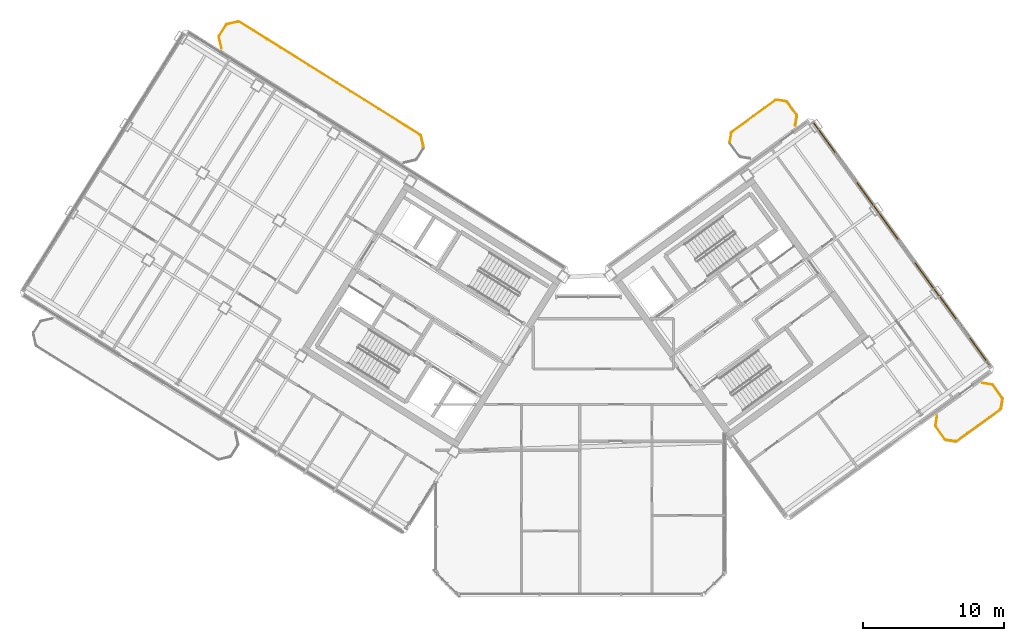
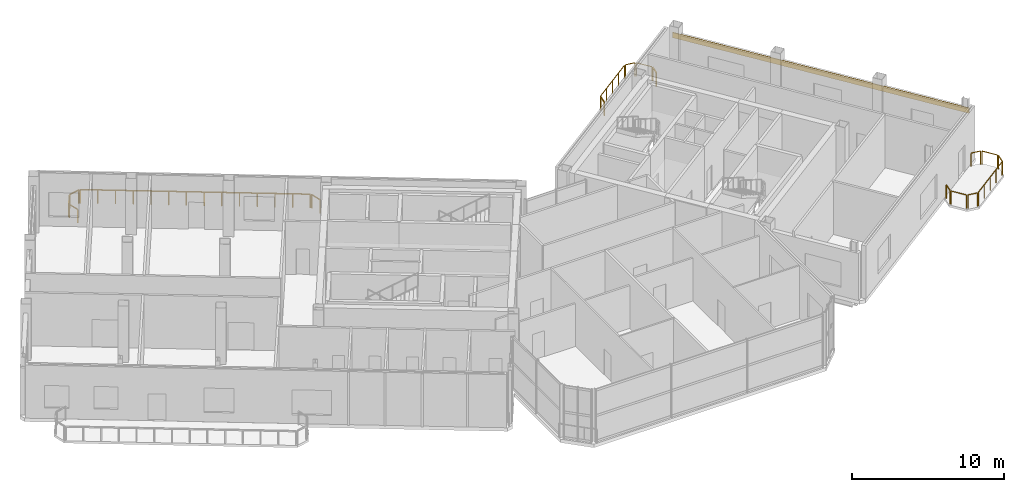
# One storey, part 27 of 27: 17 railings, 1 covering.
"""IFC4 building model written with IfcOpenShell, lengths in metres."""

from ifc_helpers import new_model, si_unit, direction, frame, origin, origin_2d, place, context, subcontext, project, spatial, rectangle, extrude, source, transform, mapped, material, layer, layer_set, type_object, element, save


model = new_model("IFC4")

# Units and contexts
model_context = context("Model", 3, precision=1e-05, world=origin(), true_north=direction((0.0, 1.0)))
body_context = subcontext(model_context, "Body", "Model", "MODEL_VIEW")
ifc_project = project(units=[si_unit("LENGTHUNIT", "METRE"), si_unit("AREAUNIT", "SQUARE_METRE"), si_unit("VOLUMEUNIT", "CUBIC_METRE"), si_unit("PLANEANGLEUNIT", "RADIAN"), si_unit("MASSUNIT", "GRAM", prefix="KILO")], contexts=[model_context])

# Site, building, storey
site_placement = place(None, origin())
site = spatial("IfcSite", under=ifc_project, at=site_placement, CompositionType="ELEMENT")
building_placement = place(site_placement, origin())
building = spatial("IfcBuilding", under=site, at=building_placement, Name="Tlacorven Tower", CompositionType="ELEMENT")
storey_placement = place(building_placement, frame((0.0, 0.0, 254.699951171875)))
storey = spatial("IfcBuildingStorey", under=building, at=storey_placement, Name="L64", CompositionType="ELEMENT", Elevation=254.699951171875)

# Railings
ifc_material_1 = material(Name="Aluminium and painted steel balustrade", Category="steel")
railing_type = type_object("IfcRailingType", Name="RL-BAL-1100", PredefinedType="BALUSTRADE", material=ifc_material_1)
shared_shape_1 = source(origin(), body_context, "Body", "SweptSolid", [
    extrude(rectangle(XDim=0.048095703125, YDim=0.048095703125, at=origin_2d()), frame((0.0, 0.0, 1.076171875), z_axis=(0.225058334816, -0.974345290916, 0.0), x_axis=(0.974345290916, 0.225058334816, 0.0)), (0.0, 0.0, 1.0), 0.80712890625),
    extrude(rectangle(XDim=0.0419921875, YDim=0.0419921875, at=origin_2d()), origin(), (0.0, 0.0, 1.0), 1.052001953125),
    extrude(rectangle(XDim=0.0419921875, YDim=0.0419921875, at=origin_2d()), frame((0.181640625, -0.786376953125, 0.0)), (0.0, 0.0, 1.0), 1.052001953125),
])
railing_1_placement = place(storey_placement, frame((30.6796875, 34.466064453125, 0.0)))
element("IfcRailing", 1, at=railing_1_placement, inside=storey, type_object=railing_type, Name="BAL-L64-W-IN Guard Railing 1", PredefinedType="BALUSTRADE", context=body_context, shape_type="MappedRepresentation", body=[
    mapped(shared_shape_1, transform((0.0, 0.0, 0.0), scale=1.0)),
])
shared_shape_2 = source(origin(), body_context, "Body", "SweptSolid", [
    extrude(rectangle(XDim=0.048095703125, YDim=0.048095703125, at=origin_2d()), frame((0.0, 0.0, 1.076171875), z_axis=(-0.225058334816, 0.974345290916, 0.0), x_axis=(-0.974345290916, -0.225058334816, 0.0)), (0.0, 0.0, 1.0), 0.80712890625),
    extrude(rectangle(XDim=0.0419921875, YDim=0.0419921875, at=origin_2d()), origin(), (0.0, 0.0, 1.0), 1.052001953125),
    extrude(rectangle(XDim=0.0419921875, YDim=0.0419921875, at=origin_2d()), frame((-0.181640625, 0.786376953125, 0.0)), (0.0, 0.0, 1.0), 1.052001953125),
])
railing_2_placement = place(storey_placement, frame((16.5361328125, 40.68115234375, 0.0)))
element("IfcRailing", 2, at=railing_2_placement, inside=storey, type_object=railing_type, Name="BAL-L64-W-IN Guard Railing 4", PredefinedType="BALUSTRADE", context=body_context, shape_type="MappedRepresentation", body=[
    mapped(shared_shape_2, transform((0.0, 0.0, 0.0), scale=1.0)),
])
shared_shape_3 = source(origin(), body_context, "Body", "SweptSolid", [
    extrude(rectangle(XDim=0.048095703125, YDim=0.048095703125, at=origin_2d()), frame((0.0, 0.0, 1.076171875), z_axis=(0.52987865805, 0.848073468364, 0.0), x_axis=(-0.848073468364, 0.52987865805, 0.0)), (0.0, 0.0, 1.0), 0.912353515625),
    extrude(rectangle(XDim=0.0419921875, YDim=0.0419921875, at=origin_2d()), origin(), (0.0, 0.0, 1.0), 1.052001953125),
    extrude(rectangle(XDim=0.0419921875, YDim=0.0419921875, at=origin_2d()), frame((0.4833984375, 0.773681640625, 0.0)), (0.0, 0.0, 1.0), 1.052001953125),
])
railing_3_placement = place(storey_placement, frame((16.369873046875, 41.55859375, 0.0)))
element("IfcRailing", 3, at=railing_3_placement, inside=storey, type_object=railing_type, Name="BAL-L64-W-IN Guard Railing 5", PredefinedType="BALUSTRADE", context=body_context, shape_type="MappedRepresentation", body=[
    mapped(shared_shape_3, transform((0.0, 0.0, 0.0), scale=1.0)),
])
shared_shape_4 = source(origin(), body_context, "Body", "SweptSolid", [
    extrude(rectangle(XDim=0.048095703125, YDim=0.048095703125, at=origin_2d()), frame((0.0, 0.0, 1.076171875), z_axis=(0.974411586182, 0.224771129628, 0.0), x_axis=(-0.224771129628, 0.974411586182, 0.0)), (0.0, 0.0, 1.0), 0.80712890625),
    extrude(rectangle(XDim=0.0419921875, YDim=0.0419921875, at=origin_2d()), origin(), (0.0, 0.0, 1.0), 1.052001953125),
    extrude(rectangle(XDim=0.0419921875, YDim=0.0419921875, at=origin_2d()), frame((0.786376953125, 0.181396484375, 0.0)), (0.0, 0.0, 1.0), 1.052001953125),
])
railing_4_placement = place(storey_placement, frame((16.928466796875, 42.385986328125, 0.0)))
element("IfcRailing", 4, at=railing_4_placement, inside=storey, type_object=railing_type, Name="BAL-L64-W-IN Guard Railing 6", PredefinedType="BALUSTRADE", context=body_context, shape_type="MappedRepresentation", body=[
    mapped(shared_shape_4, transform((0.0, 0.0, 0.0), scale=1.0)),
])
shared_shape_5 = source(origin(), body_context, "Body", "SweptSolid", [
    extrude(rectangle(XDim=0.048095703125, YDim=0.048095703125, at=origin_2d()), frame((0.0, 0.0, 1.076171875), z_axis=(0.848044572804, -0.529924902733, 0.0), x_axis=(0.529924902733, 0.848044572804, 0.0)), (0.0, 0.0, 1.0), 15.1171875),
    extrude(rectangle(XDim=0.0419921875, YDim=0.0419921875, at=origin_2d()), origin(), (0.0, 0.0, 1.0), 1.052001953125),
    extrude(rectangle(XDim=0.0419921875, YDim=0.0419921875, at=origin_2d()), frame((0.986083984375, -0.6162109375, 0.0)), (0.0, 0.0, 1.0), 1.052001953125),
    extrude(rectangle(XDim=0.0419921875, YDim=0.0419921875, at=origin_2d()), frame((1.972412109375, -1.232421875, 0.0)), (0.0, 0.0, 1.0), 1.052001953125),
    extrude(rectangle(XDim=0.0419921875, YDim=0.0419921875, at=origin_2d()), frame((2.95849609375, -1.8486328125, 0.0)), (0.0, 0.0, 1.0), 1.052001953125),
    extrude(rectangle(XDim=0.0419921875, YDim=0.0419921875, at=origin_2d()), frame((3.944580078125, -2.46484375, 0.0)), (0.0, 0.0, 1.0), 1.052001953125),
    extrude(rectangle(XDim=0.0419921875, YDim=0.0419921875, at=origin_2d()), frame((4.930908203125, -3.0810546875, 0.0)), (0.0, 0.0, 1.0), 1.052001953125),
    extrude(rectangle(XDim=0.0419921875, YDim=0.0419921875, at=origin_2d()), frame((5.9169921875, -3.697265625, 0.0)), (0.0, 0.0, 1.0), 1.052001953125),
    extrude(rectangle(XDim=0.0419921875, YDim=0.0419921875, at=origin_2d()), frame((6.903076171875, -4.313720703125, 0.0)), (0.0, 0.0, 1.0), 1.052001953125),
    extrude(rectangle(XDim=0.0419921875, YDim=0.0419921875, at=origin_2d()), frame((7.88916015625, -4.929931640625, 0.0)), (0.0, 0.0, 1.0), 1.052001953125),
    extrude(rectangle(XDim=0.0419921875, YDim=0.0419921875, at=origin_2d()), frame((8.87548828125, -5.546142578125, 0.0)), (0.0, 0.0, 1.0), 1.052001953125),
    extrude(rectangle(XDim=0.0419921875, YDim=0.0419921875, at=origin_2d()), frame((9.861572265625, -6.162353515625, 0.0)), (0.0, 0.0, 1.0), 1.052001953125),
    extrude(rectangle(XDim=0.0419921875, YDim=0.0419921875, at=origin_2d()), frame((10.84765625, -6.778564453125, 0.0)), (0.0, 0.0, 1.0), 1.052001953125),
    extrude(rectangle(XDim=0.0419921875, YDim=0.0419921875, at=origin_2d()), frame((11.833984375, -7.394775390625, 0.0)), (0.0, 0.0, 1.0), 1.052001953125),
    extrude(rectangle(XDim=0.0419921875, YDim=0.0419921875, at=origin_2d()), frame((12.820068359375, -8.010986328125, 0.0)), (0.0, 0.0, 1.0), 1.052001953125),
])
railing_5_placement = place(storey_placement, frame((17.805908203125, 42.55224609375, 0.0)))
element("IfcRailing", 5, at=railing_5_placement, inside=storey, type_object=railing_type, Name="BAL-L64-W-IN Guard Railing 7", PredefinedType="BALUSTRADE", context=body_context, shape_type="MappedRepresentation", body=[
    mapped(shared_shape_5, transform((0.0, 0.0, 0.0), scale=1.0)),
])
shared_shape_6 = source(origin(), body_context, "Body", "SweptSolid", [
    extrude(rectangle(XDim=0.048095703125, YDim=0.048095703125, at=origin_2d()), frame((0.0, 0.0, 1.076171875), z_axis=(-0.987661653326, 0.156602868908, 0.0), x_axis=(-0.156602868908, -0.987661653326, 0.0)), (0.0, 0.0, 1.0), 0.665771484375),
    extrude(rectangle(XDim=0.0419921875, YDim=0.0419921875, at=origin_2d()), origin(), (0.0, 0.0, 1.0), 1.052001953125),
    extrude(rectangle(XDim=0.0419921875, YDim=0.0419921875, at=origin_2d()), frame((-0.657470703125, 0.104248046875, 0.0)), (0.0, 0.0, 1.0), 1.052001953125),
])
railing_6_placement = place(storey_placement, frame((68.59521484375, 12.7919921875, 0.0)))
element("IfcRailing", 6, at=railing_6_placement, inside=storey, type_object=railing_type, Name="BAL-L64-E-OUT Guard Railing 1", PredefinedType="BALUSTRADE", context=body_context, shape_type="MappedRepresentation", body=[
    mapped(shared_shape_6, transform((0.0, 0.0, 0.0), scale=1.0)),
])
shared_shape_7 = source(origin(), body_context, "Body", "SweptSolid", [
    extrude(rectangle(XDim=0.048095703125, YDim=0.048095703125, at=origin_2d()), frame((0.0, 0.0, 1.076171875), z_axis=(-0.58788449985, 0.808944877501, 0.0), x_axis=(-0.808944877501, -0.58788449985, 0.0)), (0.0, 0.0, 1.0), 1.112060546875),
    extrude(rectangle(XDim=0.0419921875, YDim=0.0419921875, at=origin_2d()), origin(), (0.0, 0.0, 1.0), 1.052001953125),
    extrude(rectangle(XDim=0.0419921875, YDim=0.0419921875, at=origin_2d()), frame((-0.65380859375, 0.899658203125, 0.0)), (0.0, 0.0, 1.0), 1.052001953125),
])
railing_7_placement = place(storey_placement, frame((67.85888671875, 12.944580078125, 0.0)))
element("IfcRailing", 7, at=railing_7_placement, inside=storey, type_object=railing_type, Name="BAL-L64-E-OUT Guard Railing 2", PredefinedType="BALUSTRADE", context=body_context, shape_type="MappedRepresentation", body=[
    mapped(shared_shape_7, transform((0.0, 0.0, 0.0), scale=1.0)),
])
shared_shape_8 = source(origin(), body_context, "Body", "SweptSolid", [
    extrude(rectangle(XDim=0.048095703125, YDim=0.048095703125, at=origin_2d()), frame((0.0, 0.0, 1.076171875), z_axis=(0.156602868908, 0.987661653326, 0.0), x_axis=(-0.987661653326, 0.156602868908, 0.0)), (0.0, 0.0, 1.0), 0.665771484375),
    extrude(rectangle(XDim=0.0419921875, YDim=0.0419921875, at=origin_2d()), origin(), (0.0, 0.0, 1.0), 1.052001953125),
    extrude(rectangle(XDim=0.0419921875, YDim=0.0419921875, at=origin_2d()), frame((0.104248046875, 0.657470703125, 0.0)), (0.0, 0.0, 1.0), 1.052001953125),
])
railing_8_placement = place(storey_placement, frame((67.18359375, 13.93408203125, 0.0)))
element("IfcRailing", 8, at=railing_8_placement, inside=storey, type_object=railing_type, Name="BAL-L64-E-OUT Guard Railing 3", PredefinedType="BALUSTRADE", context=body_context, shape_type="MappedRepresentation", body=[
    mapped(shared_shape_8, transform((0.0, 0.0, 0.0), scale=1.0)),
])
shared_shape_9 = source(origin(), body_context, "Body", "SweptSolid", [
    extrude(rectangle(XDim=0.048095703125, YDim=0.048095703125, at=origin_2d()), frame((0.0, 0.0, 1.076171875), z_axis=(0.987718317463, -0.156245081039, 0.0), x_axis=(0.156245081039, 0.987718317463, 0.0)), (0.0, 0.0, 1.0), 0.66552734375),
    extrude(rectangle(XDim=0.0419921875, YDim=0.0419921875, at=origin_2d()), origin(), (0.0, 0.0, 1.0), 1.052001953125),
    extrude(rectangle(XDim=0.0419921875, YDim=0.0419921875, at=origin_2d()), frame((0.657470703125, -0.10400390625, 0.0)), (0.0, 0.0, 1.0), 1.052001953125),
])
railing_9_placement = place(storey_placement, frame((70.513916015625, 16.935546875, 0.0)))
element("IfcRailing", 9, at=railing_9_placement, inside=storey, type_object=railing_type, Name="BAL-L64-E-OUT Guard Railing 4", PredefinedType="BALUSTRADE", context=body_context, shape_type="MappedRepresentation", body=[
    mapped(shared_shape_9, transform((0.0, 0.0, 0.0), scale=1.0)),
])
shared_shape_10 = source(origin(), body_context, "Body", "SweptSolid", [
    extrude(rectangle(XDim=0.048095703125, YDim=0.048095703125, at=origin_2d()), frame((0.0, 0.0, 1.076171875), z_axis=(0.58788449985, -0.808944877501, 0.0), x_axis=(0.808944877501, 0.58788449985, 0.0)), (0.0, 0.0, 1.0), 1.112060546875),
    extrude(rectangle(XDim=0.0419921875, YDim=0.0419921875, at=origin_2d()), origin(), (0.0, 0.0, 1.0), 1.052001953125),
    extrude(rectangle(XDim=0.0419921875, YDim=0.0419921875, at=origin_2d()), frame((0.65380859375, -0.899658203125, 0.0)), (0.0, 0.0, 1.0), 1.052001953125),
])
for number, where, name in (
    (10, (71.250244140625, 16.783203125, 0.0), "BAL-L64-E-OUT Guard Railing 5"),
    (11, (56.658447265625, 36.866943359375, 0.0), "BAL-L64-E-IN Guard Railing 6"),
):
    element("IfcRailing", number, at=place(storey_placement, frame(where)), inside=storey, type_object=railing_type, Name=name, PredefinedType="BALUSTRADE", context=body_context, shape_type="MappedRepresentation", body=[
        mapped(shared_shape_10, transform((0.0, 0.0, 0.0), scale=1.0)),
    ])
shared_shape_11 = source(origin(), body_context, "Body", "SweptSolid", [
    extrude(rectangle(XDim=0.048095703125, YDim=0.048095703125, at=origin_2d()), frame((0.0, 0.0, 1.076171875), z_axis=(-0.156188498702, -0.987727266442, 0.0), x_axis=(0.987727266442, -0.156188498702, 0.0)), (0.0, 0.0, 1.0), 0.665771484375),
    extrude(rectangle(XDim=0.0419921875, YDim=0.0419921875, at=origin_2d()), origin(), (0.0, 0.0, 1.0), 1.052001953125),
    extrude(rectangle(XDim=0.0419921875, YDim=0.0419921875, at=origin_2d()), frame((-0.10400390625, -0.65771484375, 0.0)), (0.0, 0.0, 1.0), 1.052001953125),
])
railing_10_placement = place(storey_placement, frame((71.925537109375, 15.793701171875, 0.0)))
element("IfcRailing", 12, at=railing_10_placement, inside=storey, type_object=railing_type, Name="BAL-L64-E-OUT Guard Railing 6", PredefinedType="BALUSTRADE", context=body_context, shape_type="MappedRepresentation", body=[
    mapped(shared_shape_11, transform((0.0, 0.0, 0.0), scale=1.0)),
])
shared_shape_12 = source(origin(), body_context, "Body", "SweptSolid", [
    extrude(rectangle(XDim=0.048095703125, YDim=0.048095703125, at=origin_2d()), frame((0.0, 0.0, 1.076171875), z_axis=(-0.809018102573, -0.587783726986, 0.0), x_axis=(0.587783726986, -0.809018102573, 0.0)), (0.0, 0.0, 1.0), 3.817138671875),
    extrude(rectangle(XDim=0.0419921875, YDim=0.0419921875, at=origin_2d()), origin(), (0.0, 0.0, 1.0), 1.052001953125),
    extrude(rectangle(XDim=0.0419921875, YDim=0.0419921875, at=origin_2d()), frame((-0.77197265625, -0.56103515625, 0.0)), (0.0, 0.0, 1.0), 1.052001953125),
    extrude(rectangle(XDim=0.0419921875, YDim=0.0419921875, at=origin_2d()), frame((-1.5439453125, -1.121826171875, 0.0)), (0.0, 0.0, 1.0), 1.052001953125),
    extrude(rectangle(XDim=0.0419921875, YDim=0.0419921875, at=origin_2d()), frame((-2.316162109375, -1.6826171875, 0.0)), (0.0, 0.0, 1.0), 1.052001953125),
    extrude(rectangle(XDim=0.0419921875, YDim=0.0419921875, at=origin_2d()), frame((-3.088134765625, -2.24365234375, 0.0)), (0.0, 0.0, 1.0), 1.052001953125),
])
railing_11_placement = place(storey_placement, frame((71.773193359375, 15.057373046875, 0.0)))
element("IfcRailing", 13, at=railing_11_placement, inside=storey, type_object=railing_type, Name="BAL-L64-E-OUT Guard Railing 7", PredefinedType="BALUSTRADE", context=body_context, shape_type="MappedRepresentation", body=[
    mapped(shared_shape_12, transform((0.0, 0.0, 0.0), scale=1.0)),
])
shared_shape_13 = source(origin(), body_context, "Body", "SweptSolid", [
    extrude(rectangle(XDim=0.048095703125, YDim=0.048095703125, at=origin_2d()), frame((0.0, 0.0, 1.076171875), z_axis=(0.156546163506, 0.987670642822, 0.0), x_axis=(-0.987670642822, 0.156546163506, 0.0)), (0.0, 0.0, 1.0), 0.666015625),
    extrude(rectangle(XDim=0.0419921875, YDim=0.0419921875, at=origin_2d()), origin(), (0.0, 0.0, 1.0), 1.052001953125),
    extrude(rectangle(XDim=0.0419921875, YDim=0.0419921875, at=origin_2d()), frame((0.104248046875, 0.65771484375, 0.0)), (0.0, 0.0, 1.0), 1.052001953125),
])
railing_12_placement = place(storey_placement, frame((52.591796875, 34.017822265625, 0.0)))
element("IfcRailing", 14, at=railing_12_placement, inside=storey, type_object=railing_type, Name="BAL-L64-E-IN Guard Railing 3", PredefinedType="BALUSTRADE", context=body_context, shape_type="MappedRepresentation", body=[
    mapped(shared_shape_13, transform((0.0, 0.0, 0.0), scale=1.0)),
])
shared_shape_14 = source(origin(), body_context, "Body", "SweptSolid", [
    extrude(rectangle(XDim=0.048095703125, YDim=0.048095703125, at=origin_2d()), frame((0.0, 0.0, 1.076171875), z_axis=(0.809040198054, 0.587753313843, 0.0), x_axis=(-0.587753313843, 0.809040198054, 0.0)), (0.0, 0.0, 1.0), 3.8173828125),
    extrude(rectangle(XDim=0.0419921875, YDim=0.0419921875, at=origin_2d()), origin(), (0.0, 0.0, 1.0), 1.052001953125),
    extrude(rectangle(XDim=0.0419921875, YDim=0.0419921875, at=origin_2d()), frame((0.77197265625, 0.56103515625, 0.0)), (0.0, 0.0, 1.0), 1.052001953125),
    extrude(rectangle(XDim=0.0419921875, YDim=0.0419921875, at=origin_2d()), frame((1.544189453125, 1.121826171875, 0.0)), (0.0, 0.0, 1.0), 1.052001953125),
    extrude(rectangle(XDim=0.0419921875, YDim=0.0419921875, at=origin_2d()), frame((2.31640625, 1.6826171875, 0.0)), (0.0, 0.0, 1.0), 1.052001953125),
    extrude(rectangle(XDim=0.0419921875, YDim=0.0419921875, at=origin_2d()), frame((3.08837890625, 2.24365234375, 0.0)), (0.0, 0.0, 1.0), 1.052001953125),
])
railing_13_placement = place(storey_placement, frame((52.744140625, 34.754150390625, 0.0)))
element("IfcRailing", 15, at=railing_13_placement, inside=storey, type_object=railing_type, Name="BAL-L64-E-IN Guard Railing 4", PredefinedType="BALUSTRADE", context=body_context, shape_type="MappedRepresentation", body=[
    mapped(shared_shape_14, transform((0.0, 0.0, 0.0), scale=1.0)),
])
shared_shape_15 = source(origin(), body_context, "Body", "SweptSolid", [
    extrude(rectangle(XDim=0.048095703125, YDim=0.048095703125, at=origin_2d()), frame((0.0, 0.0, 1.076171875), z_axis=(0.987670642822, -0.156546163506, 0.0), x_axis=(0.156546163506, 0.987670642822, 0.0)), (0.0, 0.0, 1.0), 0.666015625),
    extrude(rectangle(XDim=0.0419921875, YDim=0.0419921875, at=origin_2d()), origin(), (0.0, 0.0, 1.0), 1.052001953125),
    extrude(rectangle(XDim=0.0419921875, YDim=0.0419921875, at=origin_2d()), frame((0.65771484375, -0.104248046875, 0.0)), (0.0, 0.0, 1.0), 1.052001953125),
])
railing_14_placement = place(storey_placement, frame((55.922119140625, 37.01953125, 0.0)))
element("IfcRailing", 16, at=railing_14_placement, inside=storey, type_object=railing_type, Name="BAL-L64-E-IN Guard Railing 5", PredefinedType="BALUSTRADE", context=body_context, shape_type="MappedRepresentation", body=[
    mapped(shared_shape_15, transform((0.0, 0.0, 0.0), scale=1.0)),
])
shared_shape_16 = source(origin(), body_context, "Body", "SweptSolid", [
    extrude(rectangle(XDim=0.048095703125, YDim=0.048095703125, at=origin_2d()), frame((0.0, 0.0, 1.076171875), z_axis=(-0.156245081039, -0.987718317463, 0.0), x_axis=(0.987718317463, -0.156245081039, 0.0)), (0.0, 0.0, 1.0), 0.66552734375),
    extrude(rectangle(XDim=0.0419921875, YDim=0.0419921875, at=origin_2d()), origin(), (0.0, 0.0, 1.0), 1.052001953125),
    extrude(rectangle(XDim=0.0419921875, YDim=0.0419921875, at=origin_2d()), frame((-0.10400390625, -0.657470703125, 0.0)), (0.0, 0.0, 1.0), 1.052001953125),
])
railing_15_placement = place(storey_placement, frame((57.333740234375, 35.87744140625, 0.0)))
element("IfcRailing", 17, at=railing_15_placement, inside=storey, type_object=railing_type, Name="BAL-L64-E-IN Guard Railing 7", PredefinedType="BALUSTRADE", context=body_context, shape_type="MappedRepresentation", body=[
    mapped(shared_shape_16, transform((0.0, 0.0, 0.0), scale=1.0)),
])

# Covering
ifc_material_2 = material(Name="Precast concrete C45/55", Category="concrete")
ifc_layer = layer(ifc_material_2, 0.06005859375)
ifc_layer_set = layer_set([ifc_layer], Name="Precast concrete C45/55")
covering_type = type_object("IfcCoveringType", Name="CV-CLD-TERC", PredefinedType="CLADDING", material=ifc_layer_set)
shared_shape_17 = source(origin(), body_context, "Body", "SweptSolid", [
    extrude(rectangle(XDim=21.287353515625, YDim=0.06005859375, at=origin_2d()), origin(), (0.0, 0.0, 1.0), 0.419921875),
])
covering_placement = place(storey_placement, frame((64.799072265625, 26.75146484375, 3.35498046875), z_axis=(0.0, 0.0, 1.0), x_axis=(0.587785363163, -0.809016913823, 0.0)))
element("IfcCovering", 18, at=covering_placement, inside=storey, type_object=covering_type, Name="L64 Masonry-Frame Spandrel Cladding 5", PredefinedType="CLADDING", context=body_context, shape_type="MappedRepresentation", body=[
    mapped(shared_shape_17, transform((0.0, 0.0, 0.0), scale=1.0)),
])

save(model, "model.ifc")
